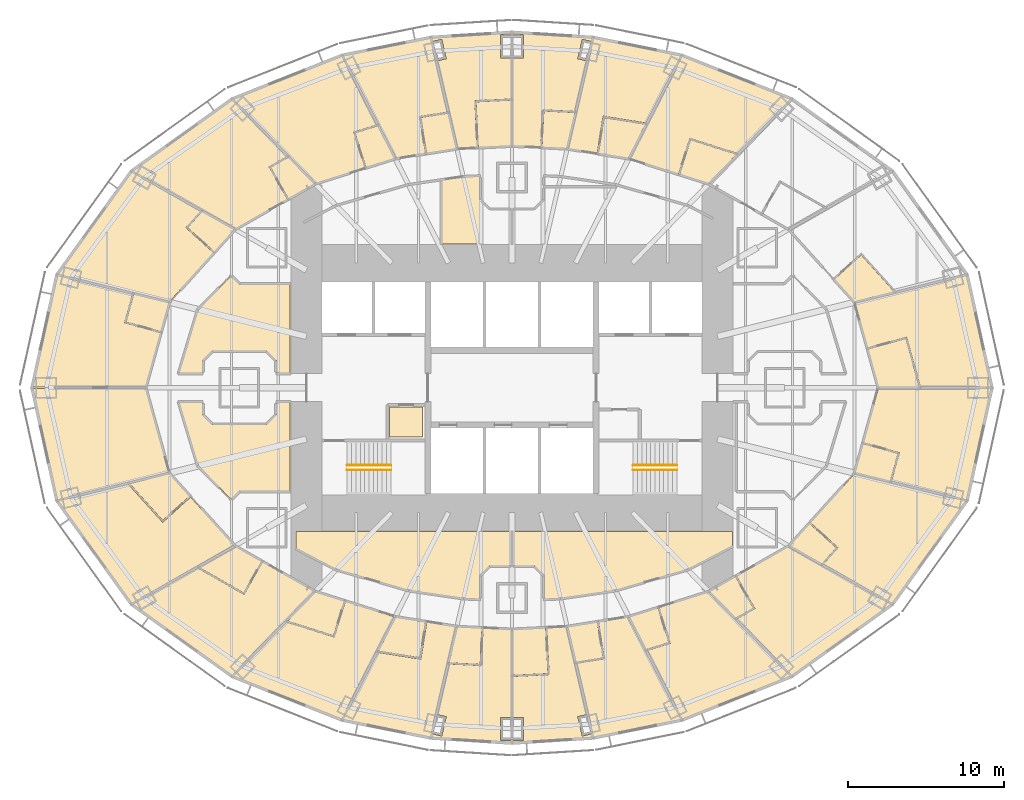
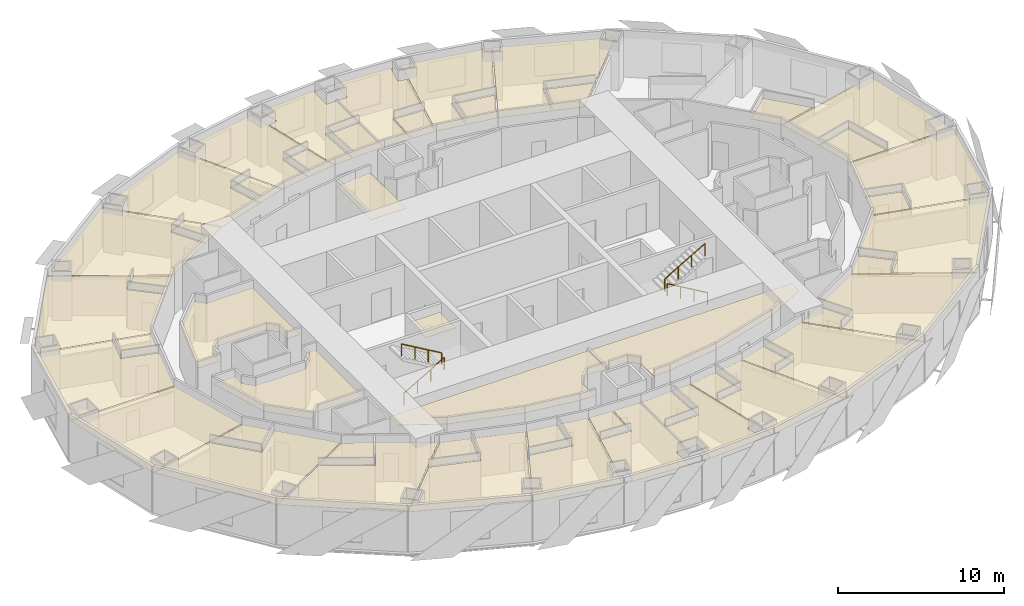
# One storey, part 16 of 17: 50 coverings, 4 railings.
"""IFC4 building model written with IfcOpenShell, lengths in metres."""

from ifc_helpers import new_model, si_unit, direction, frame, origin, origin_2d, place, context, subcontext, project, spatial, polyline, circle, outline, extrude, material, layer, layer_set, type_object, element, save


model = new_model("IFC4")

# Units and contexts
model_context = context("Model", 3, precision=1e-05, world=origin(), true_north=direction((0.0, 1.0)))
body_context = subcontext(model_context, "Body", "Model", "MODEL_VIEW")
ifc_project = project(units=[si_unit("LENGTHUNIT", "METRE"), si_unit("AREAUNIT", "SQUARE_METRE"), si_unit("VOLUMEUNIT", "CUBIC_METRE"), si_unit("PLANEANGLEUNIT", "RADIAN"), si_unit("MASSUNIT", "GRAM", prefix="KILO")], contexts=[model_context])

# Site, building, storey
site_placement = place(None, origin())
site = spatial("IfcSite", under=ifc_project, at=site_placement, CompositionType="ELEMENT")
building_placement = place(site_placement, origin())
building = spatial("IfcBuilding", under=site, at=building_placement, Name="Lantaw Convention Tower", CompositionType="ELEMENT")
storey_placement = place(building_placement, frame((0.0, 0.0, 40.60009765625)))
storey = spatial("IfcBuildingStorey", under=building, at=storey_placement, Name="L07", CompositionType="ELEMENT", Elevation=40.60009765625)

# Railings
ifc_material_1 = material(Name="Stainless steel", Category="steel")
railing_type = type_object("IfcRailingType", Name="Stair handrail", PredefinedType="HANDRAIL", material=ifc_material_1)
railing_1_placement = place(storey_placement, frame((-10.580078125, -5.280029296875, 0.16357421875)))
element("IfcRailing", 1, at=railing_1_placement, inside=storey, type_object=railing_type, Name="Stair handrail S1", PredefinedType="HANDRAIL", context=body_context, shape_type="SweptSolid", body=[
    extrude(circle(Radius=0.02392578125, at=origin_2d()), frame((0.0, 0.0, 0.8759765625), z_axis=(0.863393664356, 0.0, 0.504530851732), x_axis=(0.0, 1.0, 0.0)), (0.0, 0.0, 1.0), 3.2431640625),
    extrude(circle(Radius=0.02099609375, at=origin_2d()), origin(), (0.0, 0.0, 1.0), 0.851806640625),
    extrude(circle(Radius=0.02099609375, at=origin_2d()), frame((0.933349609375, 0.0, 0.54541015625)), (0.0, 0.0, 1.0), 0.851806640625),
    extrude(circle(Radius=0.02099609375, at=origin_2d()), frame((1.86669921875, 0.0, 1.0908203125)), (0.0, 0.0, 1.0), 0.851806640625),
    extrude(circle(Radius=0.02099609375, at=origin_2d()), frame((2.800048828125, 0.0, 1.63623046875)), (0.0, 0.0, 1.0), 0.851806640625),
])
for number, where, name in (
    (2, (-7.780029296875, -4.97998046875, 1.963623046875), "Stair handrail S1"),
    (3, (10.580078125, -5.280029296875, 0.16357421875), "Stair handrail S2"),
):
    element("IfcRailing", number, at=place(storey_placement, frame(where)), inside=storey, type_object=railing_type, Name=name, PredefinedType="HANDRAIL", context=body_context, shape_type="SweptSolid", body=[
        extrude(circle(Radius=0.02392578125, at=origin_2d()), frame((0.0, 0.0, 0.8759765625), z_axis=(-0.863393664356, 0.0, 0.504530851732), x_axis=(0.0, -1.0, 0.0)), (0.0, 0.0, 1.0), 3.2431640625),
        extrude(circle(Radius=0.02099609375, at=origin_2d()), origin(), (0.0, 0.0, 1.0), 0.851806640625),
        extrude(circle(Radius=0.02099609375, at=origin_2d()), frame((-0.933349609375, 0.0, 0.54541015625)), (0.0, 0.0, 1.0), 0.851806640625),
        extrude(circle(Radius=0.02099609375, at=origin_2d()), frame((-1.86669921875, 0.0, 1.0908203125)), (0.0, 0.0, 1.0), 0.851806640625),
        extrude(circle(Radius=0.02099609375, at=origin_2d()), frame((-2.800048828125, 0.0, 1.63623046875)), (0.0, 0.0, 1.0), 0.851806640625),
    ])
railing_2_placement = place(storey_placement, frame((7.780029296875, -4.97998046875, 1.963623046875)))
element("IfcRailing", 4, at=railing_2_placement, inside=storey, type_object=railing_type, Name="Stair handrail S2", PredefinedType="HANDRAIL", context=body_context, shape_type="SweptSolid", body=[
    extrude(circle(Radius=0.02392578125, at=origin_2d()), frame((0.0, 0.0, 0.8759765625), z_axis=(0.863393664356, 0.0, 0.504530851732), x_axis=(0.0, 1.0, 0.0)), (0.0, 0.0, 1.0), 3.2431640625),
    extrude(circle(Radius=0.02099609375, at=origin_2d()), origin(), (0.0, 0.0, 1.0), 0.851806640625),
    extrude(circle(Radius=0.02099609375, at=origin_2d()), frame((0.933349609375, 0.0, 0.54541015625)), (0.0, 0.0, 1.0), 0.851806640625),
    extrude(circle(Radius=0.02099609375, at=origin_2d()), frame((1.86669921875, 0.0, 1.0908203125)), (0.0, 0.0, 1.0), 0.851806640625),
    extrude(circle(Radius=0.02099609375, at=origin_2d()), frame((2.800048828125, 0.0, 1.63623046875)), (0.0, 0.0, 1.0), 0.851806640625),
])

# Coverings
ifc_material_2 = material(Name="Gypsum board on steel suspension grid", Category="steel")
ifc_layer = layer(ifc_material_2, 0.02001953125)
ifc_layer_set = layer_set([ifc_layer], Name="Suspended ceiling")
covering_type = type_object("IfcCoveringType", Name="Suspended ceiling", PredefinedType="CEILING", material=ifc_layer_set)
covering_1_placement = place(storey_placement, frame((0.0, 0.0, 2.849853515625)))
element("IfcCovering", 5, at=covering_1_placement, inside=storey, type_object=covering_type, Name="Housekeeping pantry ceiling", PredefinedType="CEILING", context=body_context, shape_type="SweptSolid", body=[
    extrude(outline(polyline([(-7.860107421875, -3.159912109375), (-5.739990234375, -3.159912109375), (-5.739990234375, -1.239990234375), (-7.860107421875, -1.239990234375), (-7.860107421875, -3.159912109375)])), origin(), (0.0, 0.0, 1.0), 0.02001953125),
])
covering_2_placement = place(storey_placement, frame((0.0, 0.0, 2.849853515625)))
element("IfcCovering", 6, at=covering_2_placement, inside=storey, type_object=covering_type, Name="Accessible WC ceiling", PredefinedType="CEILING", context=body_context, shape_type="SweptSolid", body=[
    extrude(outline(polyline([(-2.06494140625, 13.5654296875), (-3.1259765625, 13.516845703125), (-4.510009765625, 13.314208984375), (-4.510009765625, 9.239990234375), (-2.014892578125, 9.239990234375), (-2.014892578125, 12.0087890625), (-2.06494140625, 12.058837890625), (-2.06494140625, 13.5654296875)])), origin(), (0.0, 0.0, 1.0), 0.02001953125),
])
covering_3_placement = place(storey_placement, frame((0.0, 0.0, 2.849853515625)))
element("IfcCovering", 7, at=covering_3_placement, inside=storey, type_object=covering_type, Name="Housekeeping room ceiling", PredefinedType="CEILING", context=body_context, shape_type="SweptSolid", body=[
    extrude(outline(polyline([(-15.135009765625, 0.93994140625), (-14.239990234375, 0.93994140625), (-14.239990234375, 6.635009765625), (-17.4912109375, 6.635009765625), (-18.02490234375, 7.168701171875), (-20.147705078125, 5.01123046875), (-21.374755859375, 0.93994140625), (-19.864990234375, 0.93994140625), (-19.864990234375, 1.7412109375), (-19.2412109375, 2.364990234375), (-15.7587890625, 2.364990234375), (-15.135009765625, 1.7412109375), (-15.135009765625, 0.93994140625)])), origin(), (0.0, 0.0, 1.0), 0.02001953125),
])
covering_4_placement = place(storey_placement, frame((0.0, 0.0, 2.849853515625)))
element("IfcCovering", 8, at=covering_4_placement, inside=storey, type_object=covering_type, Name="Staff locker room ceiling", PredefinedType="CEILING", context=body_context, shape_type="SweptSolid", body=[
    extrude(outline(polyline([(-11.281005859375, -11.66015625), (-6.63671875, -13.002685546875), (-3.1259765625, -13.516845703125), (-2.06494140625, -13.5654296875), (-2.06494140625, -12.058837890625), (-1.441162109375, -11.43505859375), (-0.0400390625, -11.43505859375), (-0.0400390625, -9.239990234375), (-13.860107421875, -9.239990234375), (-13.860107421875, -10.312744140625), (-11.281005859375, -11.66015625)])), origin(), (0.0, 0.0, 1.0), 0.02001953125),
])
covering_5_placement = place(storey_placement, frame((0.0, 0.0, 2.849853515625)))
element("IfcCovering", 9, at=covering_5_placement, inside=storey, type_object=covering_type, Name="Staff room ceiling", PredefinedType="CEILING", context=body_context, shape_type="SweptSolid", body=[
    extrude(outline(polyline([(-21.374755859375, -0.93994140625), (-20.147705078125, -5.01123046875), (-18.02490234375, -7.168701171875), (-17.4912109375, -6.635009765625), (-14.239990234375, -6.635009765625), (-14.239990234375, -0.93994140625), (-15.135009765625, -0.93994140625), (-15.135009765625, -1.7412109375), (-15.7587890625, -2.364990234375), (-19.2412109375, -2.364990234375), (-19.864990234375, -1.7412109375), (-19.864990234375, -0.93994140625), (-21.374755859375, -0.93994140625)])), origin(), (0.0, 0.0, 1.0), 0.02001953125),
])
covering_6_placement = place(storey_placement, frame((0.0, 0.0, 2.849853515625)))
element("IfcCovering", 10, at=covering_6_placement, inside=storey, type_object=covering_type, Name="Guest ice and vending room ceiling", PredefinedType="CEILING", context=body_context, shape_type="SweptSolid", body=[
    extrude(outline(polyline([(2.06494140625, -13.5654296875), (3.1259765625, -13.516845703125), (6.63671875, -13.002685546875), (11.281005859375, -11.66015625), (14.159912109375, -10.156005859375), (14.159912109375, -9.239990234375), (0.0400390625, -9.239990234375), (0.0400390625, -11.43505859375), (1.441162109375, -11.43505859375), (2.06494140625, -12.058837890625), (2.06494140625, -13.5654296875)])), origin(), (0.0, 0.0, 1.0), 0.02001953125),
])
covering_7_placement = place(storey_placement, frame((0.0, 0.0, 2.849853515625)))
element("IfcCovering", 11, at=covering_7_placement, inside=storey, type_object=covering_type, Name="Accessible bathroom ceiling", PredefinedType="CEILING", context=body_context, shape_type="SweptSolid", body=[
    extrude(outline(polyline([(23.530517578125, 0.0400390625), (26.145263671875, 0.0400390625), (25.28369140625, 3.150390625), (22.855224609375, 2.477783203125), (23.530517578125, 0.0400390625)])), origin(), (0.0, 0.0, 1.0), 0.02001953125),
])
covering_8_placement = place(storey_placement, frame((0.0, 0.0, 2.849853515625)))
element("IfcCovering", 12, at=covering_8_placement, inside=storey, type_object=covering_type, Name="Accessible guest room ceiling", PredefinedType="CEILING", context=body_context, shape_type="SweptSolid", body=[
    extrude(outline(polyline([(22.031494140625, 5.45166015625), (22.833740234375, 2.554931640625), (25.33935546875, 3.2490234375), (26.228271484375, 0.0400390625), (30.77099609375, 0.0400390625), (29.191650390625, 7.205078125), (22.031494140625, 5.45166015625)])), origin(), (0.0, 0.0, 1.0), 0.02001953125),
])
covering_9_placement = place(storey_placement, frame((0.0, 0.0, 2.849853515625)))
element("IfcCovering", 13, at=covering_9_placement, inside=storey, type_object=covering_type, Name="Guest bathroom ceiling", PredefinedType="CEILING", context=body_context, shape_type="SweptSolid", body=[
    extrude(outline(polyline([(21.995361328125, 5.525390625), (24.547607421875, 6.16162109375), (22.418212890625, 8.517333984375), (20.697265625, 6.96142578125), (21.995361328125, 5.525390625)])), origin(), (0.0, 0.0, 1.0), 0.02001953125),
])
covering_10_placement = place(storey_placement, frame((0.0, 0.0, 2.849853515625)))
element("IfcCovering", 14, at=covering_10_placement, inside=storey, type_object=covering_type, Name="Guest bathroom ceiling", PredefinedType="CEILING", context=body_context, shape_type="SweptSolid", body=[
    extrude(outline(polyline([(12.61328125, 13.118896484375), (14.4140625, 14.98388671875), (11.464599609375, 15.913330078125), (10.767333984375, 13.700439453125), (12.61328125, 13.118896484375)])), origin(), (0.0, 0.0, 1.0), 0.02001953125),
])
covering_11_placement = place(storey_placement, frame((0.0, 0.0, 2.849853515625)))
element("IfcCovering", 15, at=covering_11_placement, inside=storey, type_object=covering_type, Name="Guest room ceiling", PredefinedType="CEILING", context=body_context, shape_type="SweptSolid", body=[
    extrude(outline(polyline([(7.54345703125, 14.71630859375), (10.691162109375, 13.724609375), (11.412353515625, 16.013671875), (14.493896484375, 15.042724609375), (17.89990234375, 18.52685546875), (10.930908203125, 21.294921875), (7.54345703125, 14.71630859375)])), origin(), (0.0, 0.0, 1.0), 0.02001953125),
])
covering_12_placement = place(storey_placement, frame((0.0, 0.0, 2.849853515625)))
element("IfcCovering", 16, at=covering_12_placement, inside=storey, type_object=covering_type, Name="Guest bathroom ceiling", PredefinedType="CEILING", context=body_context, shape_type="SweptSolid", body=[
    extrude(outline(polyline([(7.4638671875, 14.736572265625), (8.57080078125, 16.9091796875), (5.923095703125, 17.332275390625), (5.55712890625, 15.041259765625), (7.4638671875, 14.736572265625)])), origin(), (0.0, 0.0, 1.0), 0.02001953125),
])
covering_13_placement = place(storey_placement, frame((0.0, 0.0, 2.849853515625)))
element("IfcCovering", 17, at=covering_13_placement, inside=storey, type_object=covering_type, Name="Guest room ceiling", PredefinedType="CEILING", context=body_context, shape_type="SweptSolid", body=[
    extrude(outline(polyline([(5.240966796875, 22.448974609375), (3.58642578125, 15.356201171875), (5.46630859375, 15.0556640625), (5.8466796875, 17.4375), (8.6259765625, 16.993408203125), (10.85205078125, 21.31689453125), (5.240966796875, 22.448974609375)])), origin(), (0.0, 0.0, 1.0), 0.02001953125),
])
covering_14_placement = place(storey_placement, frame((0.0, 0.0, 2.849853515625)))
element("IfcCovering", 18, at=covering_14_placement, inside=storey, type_object=covering_type, Name="Guest bathroom ceiling", PredefinedType="CEILING", context=body_context, shape_type="SweptSolid", body=[
    extrude(outline(polyline([(3.50634765625, 15.364990234375), (4.036376953125, 17.661376953125), (2.04736328125, 17.7607421875), (1.931640625, 15.443603515625), (3.50634765625, 15.364990234375)])), origin(), (0.0, 0.0, 1.0), 0.02001953125),
])
covering_15_placement = place(storey_placement, frame((0.0, 0.0, 2.849853515625)))
element("IfcCovering", 19, at=covering_15_placement, inside=storey, type_object=covering_type, Name="Guest room ceiling", PredefinedType="CEILING", context=body_context, shape_type="SweptSolid", body=[
    extrude(outline(polyline([(0.0400390625, 21.159912109375), (0.0400390625, 15.5380859375), (1.851806640625, 15.447509765625), (1.971435546875, 17.844482421875), (4.060302734375, 17.740234375), (4.816162109375, 20.98046875), (4.21875, 21.118408203125), (4.506591796875, 22.365478515625), (5.10693359375, 22.22705078125), (5.1611328125, 22.458984375), (0.0400390625, 22.781982421875), (0.0400390625, 22.639892578125), (0.739990234375, 22.639892578125), (0.739990234375, 21.159912109375), (0.0400390625, 21.159912109375)])), origin(), (0.0, 0.0, 1.0), 0.02001953125),
])
covering_16_placement = place(storey_placement, frame((0.0, 0.0, 2.849853515625)))
element("IfcCovering", 20, at=covering_16_placement, inside=storey, type_object=covering_type, Name="Accessible bathroom ceiling", PredefinedType="CEILING", context=body_context, shape_type="SweptSolid", body=[
    extrude(outline(polyline([(-0.0400390625, 15.5380859375), (-0.0400390625, 18.461669921875), (-2.304931640625, 18.3486328125), (-2.159423828125, 15.43212890625), (-0.0400390625, 15.5380859375)])), origin(), (0.0, 0.0, 1.0), 0.02001953125),
])
covering_17_placement = place(storey_placement, frame((0.0, 0.0, 2.849853515625)))
element("IfcCovering", 21, at=covering_17_placement, inside=storey, type_object=covering_type, Name="Accessible guest room ceiling", PredefinedType="CEILING", context=body_context, shape_type="SweptSolid", body=[
    extrude(outline(polyline([(-4.816162109375, 20.98046875), (-3.50634765625, 15.364990234375), (-2.2392578125, 15.42822265625), (-2.388916015625, 18.424560546875), (-0.0400390625, 18.541748046875), (-0.0400390625, 21.159912109375), (-0.739990234375, 21.159912109375), (-0.739990234375, 22.639892578125), (-0.0400390625, 22.639892578125), (-0.0400390625, 22.781982421875), (-5.1611328125, 22.458984375), (-5.10693359375, 22.22705078125), (-4.506591796875, 22.365478515625), (-4.21875, 21.118408203125), (-4.816162109375, 20.98046875)])), origin(), (0.0, 0.0, 1.0), 0.02001953125),
])
covering_18_placement = place(storey_placement, frame((0.0, 0.0, 2.849853515625)))
element("IfcCovering", 22, at=covering_18_placement, inside=storey, type_object=covering_type, Name="Guest bathroom ceiling", PredefinedType="CEILING", context=body_context, shape_type="SweptSolid", body=[
    extrude(outline(polyline([(-3.586181640625, 15.356201171875), (-4.109375, 17.621826171875), (-5.845458984375, 17.344482421875), (-5.4794921875, 15.0537109375), (-3.586181640625, 15.356201171875)])), origin(), (0.0, 0.0, 1.0), 0.02001953125),
])
covering_19_placement = place(storey_placement, frame((0.0, 0.0, 2.849853515625)))
element("IfcCovering", 23, at=covering_19_placement, inside=storey, type_object=covering_type, Name="Guest room ceiling", PredefinedType="CEILING", context=body_context, shape_type="SweptSolid", body=[
    extrude(outline(polyline([(-7.4638671875, 14.736572265625), (-5.558349609375, 15.041015625), (-5.93701171875, 17.410888671875), (-4.133056640625, 17.69921875), (-5.240966796875, 22.448974609375), (-10.85205078125, 21.31689453125), (-7.4638671875, 14.736572265625)])), origin(), (0.0, 0.0, 1.0), 0.02001953125),
])
covering_20_placement = place(storey_placement, frame((0.0, 0.0, 2.849853515625)))
element("IfcCovering", 24, at=covering_20_placement, inside=storey, type_object=covering_type, Name="Guest bathroom ceiling", PredefinedType="CEILING", context=body_context, shape_type="SweptSolid", body=[
    extrude(outline(polyline([(-7.543212890625, 14.716552734375), (-8.611328125, 16.812255859375), (-10.06494140625, 16.354248046875), (-9.36767578125, 14.1416015625), (-7.543212890625, 14.716552734375)])), origin(), (0.0, 0.0, 1.0), 0.02001953125),
])
covering_21_placement = place(storey_placement, frame((0.0, 0.0, 2.849853515625)))
element("IfcCovering", 25, at=covering_21_placement, inside=storey, type_object=covering_type, Name="Guest room ceiling", PredefinedType="CEILING", context=body_context, shape_type="SweptSolid", body=[
    extrude(outline(polyline([(-12.61328125, 13.118896484375), (-9.44384765625, 14.117431640625), (-10.165283203125, 16.406494140625), (-8.658203125, 16.88134765625), (-10.930908203125, 21.294921875), (-17.89990234375, 18.52685546875), (-12.61328125, 13.118896484375)])), origin(), (0.0, 0.0, 1.0), 0.02001953125),
])
covering_22_placement = place(storey_placement, frame((0.0, 0.0, 2.849853515625)))
element("IfcCovering", 26, at=covering_22_placement, inside=storey, type_object=covering_type, Name="Guest bathroom ceiling", PredefinedType="CEILING", context=body_context, shape_type="SweptSolid", body=[
    extrude(outline(polyline([(-12.689208984375, 13.08251953125), (-14.352783203125, 14.80517578125), (-15.49560546875, 14.15478515625), (-14.347900390625, 12.138427734375), (-12.689208984375, 13.08251953125)])), origin(), (0.0, 0.0, 1.0), 0.02001953125),
])
covering_23_placement = place(storey_placement, frame((0.0, 0.0, 2.849853515625)))
element("IfcCovering", 27, at=covering_23_placement, inside=storey, type_object=covering_type, Name="Guest room ceiling", PredefinedType="CEILING", context=body_context, shape_type="SweptSolid", body=[
    extrude(outline(polyline([(-17.761474609375, 10.1953125), (-14.41748046875, 12.098876953125), (-15.604736328125, 14.1845703125), (-14.424072265625, 14.856689453125), (-17.97509765625, 18.4892578125), (-24.3603515625, 13.912841796875), (-17.761474609375, 10.1953125)])), origin(), (0.0, 0.0, 1.0), 0.02001953125),
])
covering_24_placement = place(storey_placement, frame((0.0, 0.0, 2.849853515625)))
element("IfcCovering", 28, at=covering_24_placement, inside=storey, type_object=covering_type, Name="Guest bathroom ceiling", PredefinedType="CEILING", context=body_context, shape_type="SweptSolid", body=[
    extrude(outline(polyline([(-17.824462890625, 10.139404296875), (-19.886474609375, 11.317626953125), (-20.826416015625, 10.278076171875), (-19.10546875, 8.72216796875), (-17.824462890625, 10.139404296875)])), origin(), (0.0, 0.0, 1.0), 0.02001953125),
])
covering_25_placement = place(storey_placement, frame((0.0, 0.0, 2.849853515625)))
element("IfcCovering", 29, at=covering_25_placement, inside=storey, type_object=covering_type, Name="Guest room ceiling", PredefinedType="CEILING", context=body_context, shape_type="SweptSolid", body=[
    extrude(outline(polyline([(-21.99560546875, 5.525146484375), (-19.1591796875, 8.662841796875), (-20.939453125, 10.2724609375), (-19.96826171875, 11.3466796875), (-24.423095703125, 13.8564453125), (-29.155029296875, 7.2783203125), (-21.99560546875, 5.525146484375)])), origin(), (0.0, 0.0, 1.0), 0.02001953125),
])
covering_26_placement = place(storey_placement, frame((0.0, 0.0, 2.849853515625)))
element("IfcCovering", 30, at=covering_26_placement, inside=storey, type_object=covering_type, Name="Suite bathroom ceiling", PredefinedType="CEILING", context=body_context, shape_type="SweptSolid", body=[
    extrude(outline(polyline([(-22.031494140625, 5.451904296875), (-24.283203125, 6.01318359375), (-24.779541015625, 4.221923828125), (-22.543701171875, 3.6025390625), (-22.031494140625, 5.451904296875)])), origin(), (0.0, 0.0, 1.0), 0.02001953125),
])
covering_27_placement = place(storey_placement, frame((0.0, 0.0, 2.849853515625)))
element("IfcCovering", 31, at=covering_27_placement, inside=storey, type_object=covering_type, Name="Suite bedroom ceiling", PredefinedType="CEILING", context=body_context, shape_type="SweptSolid", body=[
    extrude(outline(polyline([(-23.530517578125, 0.0400390625), (-22.56494140625, 3.525390625), (-24.8779296875, 4.166015625), (-24.363525390625, 6.022705078125), (-29.191650390625, 7.205078125), (-30.77099609375, 0.0400390625), (-23.530517578125, 0.0400390625)])), origin(), (0.0, 0.0, 1.0), 0.02001953125),
])
covering_28_placement = place(storey_placement, frame((0.0, 0.0, 2.849853515625)))
element("IfcCovering", 32, at=covering_28_placement, inside=storey, type_object=covering_type, Name="Suite living room ceiling", PredefinedType="CEILING", context=body_context, shape_type="SweptSolid", body=[
    extrude(outline(polyline([(-23.530517578125, -0.0400390625), (-30.77099609375, -0.0400390625), (-29.191650390625, -7.205078125), (-22.031494140625, -5.45166015625), (-23.530517578125, -0.0400390625)])), origin(), (0.0, 0.0, 1.0), 0.02001953125),
])
covering_29_placement = place(storey_placement, frame((0.0, 0.0, 2.849853515625)))
element("IfcCovering", 33, at=covering_29_placement, inside=storey, type_object=covering_type, Name="Guest bathroom ceiling", PredefinedType="CEILING", context=body_context, shape_type="SweptSolid", body=[
    extrude(outline(polyline([(-21.995361328125, -5.525390625), (-24.547607421875, -6.16162109375), (-22.418212890625, -8.517333984375), (-20.697265625, -6.96142578125), (-21.995361328125, -5.525390625)])), origin(), (0.0, 0.0, 1.0), 0.02001953125),
])
covering_30_placement = place(storey_placement, frame((0.0, 0.0, 2.849853515625)))
element("IfcCovering", 34, at=covering_30_placement, inside=storey, type_object=covering_type, Name="Guest room ceiling", PredefinedType="CEILING", context=body_context, shape_type="SweptSolid", body=[
    extrude(outline(polyline([(-17.82470703125, -10.13916015625), (-20.635498046875, -7.02978515625), (-22.4248046875, -8.647216796875), (-24.65771484375, -6.17724609375), (-29.155029296875, -7.2783203125), (-24.423095703125, -13.8564453125), (-17.82470703125, -10.13916015625)])), origin(), (0.0, 0.0, 1.0), 0.02001953125),
])
covering_31_placement = place(storey_placement, frame((0.0, 0.0, 2.849853515625)))
element("IfcCovering", 35, at=covering_31_placement, inside=storey, type_object=covering_type, Name="Guest bathroom ceiling", PredefinedType="CEILING", context=body_context, shape_type="SweptSolid", body=[
    extrude(outline(polyline([(-17.76123046875, -10.1953125), (-20.101806640625, -11.53271484375), (-17.2255859375, -13.169921875), (-16.077880859375, -11.15380859375), (-17.76123046875, -10.1953125)])), origin(), (0.0, 0.0, 1.0), 0.02001953125),
])
covering_32_placement = place(storey_placement, frame((0.0, 0.0, 2.849853515625)))
element("IfcCovering", 36, at=covering_32_placement, inside=storey, type_object=covering_type, Name="Guest room ceiling", PredefinedType="CEILING", context=body_context, shape_type="SweptSolid", body=[
    extrude(outline(polyline([(-20.19970703125, -11.56884765625), (-24.3603515625, -13.912841796875), (-17.97509765625, -18.4892578125), (-12.689697265625, -13.08251953125), (-16.00830078125, -11.193359375), (-17.195556640625, -13.279052734375), (-20.19970703125, -11.56884765625)])), origin(), (0.0, 0.0, 1.0), 0.02001953125),
])
covering_33_placement = place(storey_placement, frame((0.0, 0.0, 2.849853515625)))
element("IfcCovering", 37, at=covering_33_placement, inside=storey, type_object=covering_type, Name="Guest bathroom ceiling", PredefinedType="CEILING", context=body_context, shape_type="SweptSolid", body=[
    extrude(outline(polyline([(-12.61328125, -13.118896484375), (-14.4140625, -14.98388671875), (-11.464599609375, -15.913330078125), (-10.767333984375, -13.700439453125), (-12.61328125, -13.118896484375)])), origin(), (0.0, 0.0, 1.0), 0.02001953125),
])
covering_34_placement = place(storey_placement, frame((0.0, 0.0, 2.849853515625)))
element("IfcCovering", 38, at=covering_34_placement, inside=storey, type_object=covering_type, Name="Guest room ceiling", PredefinedType="CEILING", context=body_context, shape_type="SweptSolid", body=[
    extrude(outline(polyline([(-14.493896484375, -15.042724609375), (-17.89990234375, -18.52685546875), (-10.930908203125, -21.294921875), (-7.54345703125, -14.71630859375), (-10.691162109375, -13.724609375), (-11.412353515625, -16.013671875), (-14.493896484375, -15.042724609375)])), origin(), (0.0, 0.0, 1.0), 0.02001953125),
])
covering_35_placement = place(storey_placement, frame((0.0, 0.0, 2.849853515625)))
element("IfcCovering", 39, at=covering_35_placement, inside=storey, type_object=covering_type, Name="Guest bathroom ceiling", PredefinedType="CEILING", context=body_context, shape_type="SweptSolid", body=[
    extrude(outline(polyline([(-7.4638671875, -14.736572265625), (-8.57080078125, -16.9091796875), (-5.923095703125, -17.332275390625), (-5.55712890625, -15.041259765625), (-7.4638671875, -14.736572265625)])), origin(), (0.0, 0.0, 1.0), 0.02001953125),
])
covering_36_placement = place(storey_placement, frame((0.0, 0.0, 2.849853515625)))
element("IfcCovering", 40, at=covering_36_placement, inside=storey, type_object=covering_type, Name="Guest room ceiling", PredefinedType="CEILING", context=body_context, shape_type="SweptSolid", body=[
    extrude(outline(polyline([(-3.58642578125, -15.356201171875), (-5.46630859375, -15.0556640625), (-5.8466796875, -17.4375), (-8.6259765625, -16.993408203125), (-10.85205078125, -21.31689453125), (-5.240966796875, -22.448974609375), (-3.58642578125, -15.356201171875)])), origin(), (0.0, 0.0, 1.0), 0.02001953125),
])
covering_37_placement = place(storey_placement, frame((0.0, 0.0, 2.849853515625)))
element("IfcCovering", 41, at=covering_37_placement, inside=storey, type_object=covering_type, Name="Guest bathroom ceiling", PredefinedType="CEILING", context=body_context, shape_type="SweptSolid", body=[
    extrude(outline(polyline([(-3.50634765625, -15.364990234375), (-4.036376953125, -17.661376953125), (-2.04736328125, -17.7607421875), (-1.931640625, -15.443603515625), (-3.50634765625, -15.364990234375)])), origin(), (0.0, 0.0, 1.0), 0.02001953125),
])
covering_38_placement = place(storey_placement, frame((0.0, 0.0, 2.849853515625)))
element("IfcCovering", 42, at=covering_38_placement, inside=storey, type_object=covering_type, Name="Guest room ceiling", PredefinedType="CEILING", context=body_context, shape_type="SweptSolid", body=[
    extrude(outline(polyline([(-4.060302734375, -17.740234375), (-4.816162109375, -20.98046875), (-4.21875, -21.118408203125), (-4.506591796875, -22.365478515625), (-5.10693359375, -22.22705078125), (-5.1611328125, -22.458984375), (-0.0400390625, -22.781982421875), (-0.0400390625, -22.639892578125), (-0.739990234375, -22.639892578125), (-0.739990234375, -21.159912109375), (-0.0400390625, -21.159912109375), (-0.0400390625, -15.5380859375), (-1.851806640625, -15.447509765625), (-1.971435546875, -17.844482421875), (-4.060302734375, -17.740234375)])), origin(), (0.0, 0.0, 1.0), 0.02001953125),
])
covering_39_placement = place(storey_placement, frame((0.0, 0.0, 2.849853515625)))
element("IfcCovering", 43, at=covering_39_placement, inside=storey, type_object=covering_type, Name="Accessible bathroom ceiling", PredefinedType="CEILING", context=body_context, shape_type="SweptSolid", body=[
    extrude(outline(polyline([(0.0400390625, -15.5380859375), (0.0400390625, -18.461669921875), (2.304931640625, -18.3486328125), (2.159423828125, -15.43212890625), (0.0400390625, -15.5380859375)])), origin(), (0.0, 0.0, 1.0), 0.02001953125),
])
covering_40_placement = place(storey_placement, frame((0.0, 0.0, 2.849853515625)))
element("IfcCovering", 44, at=covering_40_placement, inside=storey, type_object=covering_type, Name="Accessible guest room ceiling", PredefinedType="CEILING", context=body_context, shape_type="SweptSolid", body=[
    extrude(outline(polyline([(2.2392578125, -15.42822265625), (2.388916015625, -18.424560546875), (0.0400390625, -18.541748046875), (0.0400390625, -21.159912109375), (0.739990234375, -21.159912109375), (0.739990234375, -22.639892578125), (0.0400390625, -22.639892578125), (0.0400390625, -22.781982421875), (5.1611328125, -22.458984375), (5.10693359375, -22.22705078125), (4.506591796875, -22.365478515625), (4.21875, -21.118408203125), (4.816162109375, -20.98046875), (3.50634765625, -15.364990234375), (2.2392578125, -15.42822265625)])), origin(), (0.0, 0.0, 1.0), 0.02001953125),
])
covering_41_placement = place(storey_placement, frame((0.0, 0.0, 2.849853515625)))
element("IfcCovering", 45, at=covering_41_placement, inside=storey, type_object=covering_type, Name="Guest bathroom ceiling", PredefinedType="CEILING", context=body_context, shape_type="SweptSolid", body=[
    extrude(outline(polyline([(3.586181640625, -15.356201171875), (4.109375, -17.621826171875), (5.845458984375, -17.344482421875), (5.4794921875, -15.0537109375), (3.586181640625, -15.356201171875)])), origin(), (0.0, 0.0, 1.0), 0.02001953125),
])
covering_42_placement = place(storey_placement, frame((0.0, 0.0, 2.849853515625)))
element("IfcCovering", 46, at=covering_42_placement, inside=storey, type_object=covering_type, Name="Guest room ceiling", PredefinedType="CEILING", context=body_context, shape_type="SweptSolid", body=[
    extrude(outline(polyline([(7.4638671875, -14.736572265625), (5.558349609375, -15.041015625), (5.93701171875, -17.410888671875), (4.133056640625, -17.69921875), (5.240966796875, -22.448974609375), (10.85205078125, -21.31689453125), (7.4638671875, -14.736572265625)])), origin(), (0.0, 0.0, 1.0), 0.02001953125),
])
covering_43_placement = place(storey_placement, frame((0.0, 0.0, 2.849853515625)))
element("IfcCovering", 47, at=covering_43_placement, inside=storey, type_object=covering_type, Name="Guest bathroom ceiling", PredefinedType="CEILING", context=body_context, shape_type="SweptSolid", body=[
    extrude(outline(polyline([(7.543212890625, -14.716552734375), (8.611328125, -16.812255859375), (10.06494140625, -16.354248046875), (9.36767578125, -14.1416015625), (7.543212890625, -14.716552734375)])), origin(), (0.0, 0.0, 1.0), 0.02001953125),
])
covering_44_placement = place(storey_placement, frame((0.0, 0.0, 2.849853515625)))
element("IfcCovering", 48, at=covering_44_placement, inside=storey, type_object=covering_type, Name="Guest room ceiling", PredefinedType="CEILING", context=body_context, shape_type="SweptSolid", body=[
    extrude(outline(polyline([(9.44384765625, -14.117431640625), (10.165283203125, -16.406494140625), (8.658203125, -16.88134765625), (10.930908203125, -21.294921875), (17.89990234375, -18.52685546875), (12.61328125, -13.118896484375), (9.44384765625, -14.117431640625)])), origin(), (0.0, 0.0, 1.0), 0.02001953125),
])
covering_45_placement = place(storey_placement, frame((0.0, 0.0, 2.849853515625)))
element("IfcCovering", 49, at=covering_45_placement, inside=storey, type_object=covering_type, Name="Guest bathroom ceiling", PredefinedType="CEILING", context=body_context, shape_type="SweptSolid", body=[
    extrude(outline(polyline([(12.689208984375, -13.08251953125), (14.352783203125, -14.80517578125), (15.49560546875, -14.15478515625), (14.347900390625, -12.138427734375), (12.689208984375, -13.08251953125)])), origin(), (0.0, 0.0, 1.0), 0.02001953125),
])
covering_46_placement = place(storey_placement, frame((0.0, 0.0, 2.849853515625)))
element("IfcCovering", 50, at=covering_46_placement, inside=storey, type_object=covering_type, Name="Guest room ceiling", PredefinedType="CEILING", context=body_context, shape_type="SweptSolid", body=[
    extrude(outline(polyline([(17.761474609375, -10.1953125), (14.41748046875, -12.098876953125), (15.604736328125, -14.1845703125), (14.424072265625, -14.856689453125), (17.97509765625, -18.4892578125), (24.3603515625, -13.912841796875), (17.761474609375, -10.1953125)])), origin(), (0.0, 0.0, 1.0), 0.02001953125),
])
covering_47_placement = place(storey_placement, frame((0.0, 0.0, 2.849853515625)))
element("IfcCovering", 51, at=covering_47_placement, inside=storey, type_object=covering_type, Name="Guest bathroom ceiling", PredefinedType="CEILING", context=body_context, shape_type="SweptSolid", body=[
    extrude(outline(polyline([(17.824462890625, -10.139404296875), (19.886474609375, -11.317626953125), (20.826416015625, -10.278076171875), (19.10546875, -8.72216796875), (17.824462890625, -10.139404296875)])), origin(), (0.0, 0.0, 1.0), 0.02001953125),
])
covering_48_placement = place(storey_placement, frame((0.0, 0.0, 2.849853515625)))
element("IfcCovering", 52, at=covering_48_placement, inside=storey, type_object=covering_type, Name="Guest room ceiling", PredefinedType="CEILING", context=body_context, shape_type="SweptSolid", body=[
    extrude(outline(polyline([(21.99560546875, -5.525146484375), (19.1591796875, -8.662841796875), (20.939453125, -10.2724609375), (19.96826171875, -11.3466796875), (24.423095703125, -13.8564453125), (29.155029296875, -7.2783203125), (21.99560546875, -5.525146484375)])), origin(), (0.0, 0.0, 1.0), 0.02001953125),
])
covering_49_placement = place(storey_placement, frame((0.0, 0.0, 2.849853515625)))
element("IfcCovering", 53, at=covering_49_placement, inside=storey, type_object=covering_type, Name="Guest bathroom ceiling", PredefinedType="CEILING", context=body_context, shape_type="SweptSolid", body=[
    extrude(outline(polyline([(22.031494140625, -5.451904296875), (24.283203125, -6.01318359375), (24.779541015625, -4.221923828125), (22.543701171875, -3.6025390625), (22.031494140625, -5.451904296875)])), origin(), (0.0, 0.0, 1.0), 0.02001953125),
])
covering_50_placement = place(storey_placement, frame((0.0, 0.0, 2.849853515625)))
element("IfcCovering", 54, at=covering_50_placement, inside=storey, type_object=covering_type, Name="Guest room ceiling", PredefinedType="CEILING", context=body_context, shape_type="SweptSolid", body=[
    extrude(outline(polyline([(22.56494140625, -3.525390625), (24.8779296875, -4.166015625), (24.363525390625, -6.022705078125), (29.191650390625, -7.205078125), (30.77099609375, -0.0400390625), (23.530517578125, -0.0400390625), (22.56494140625, -3.525390625)])), origin(), (0.0, 0.0, 1.0), 0.02001953125),
])

save(model, "model.ifc")
